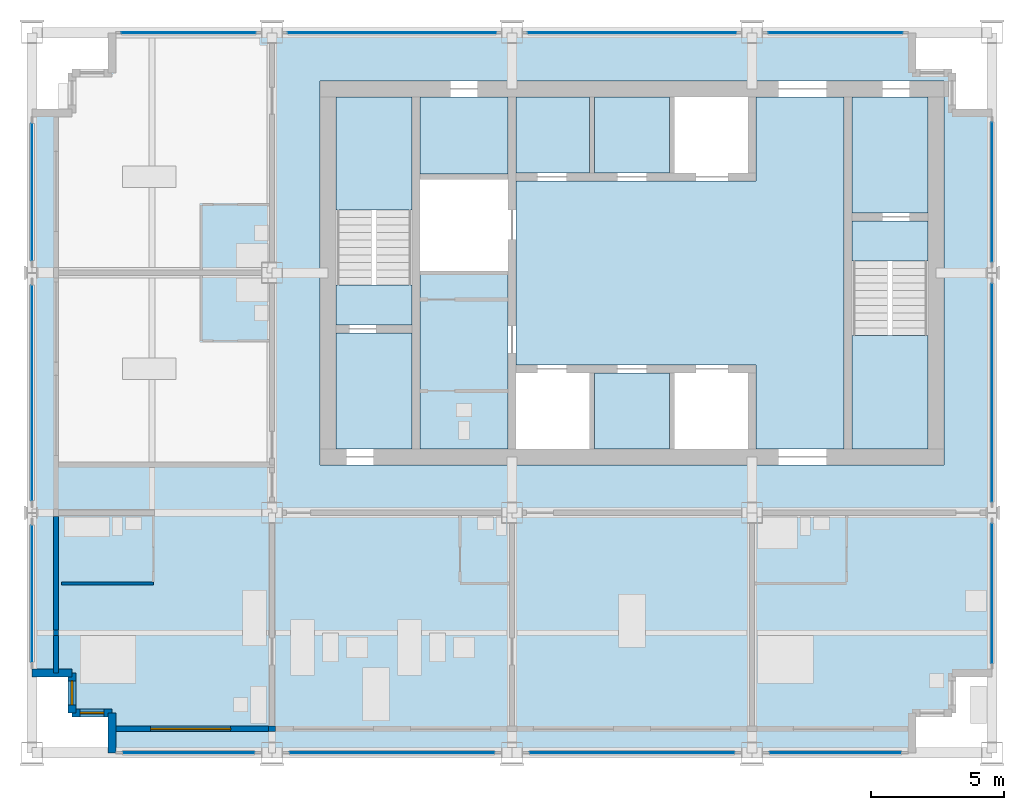
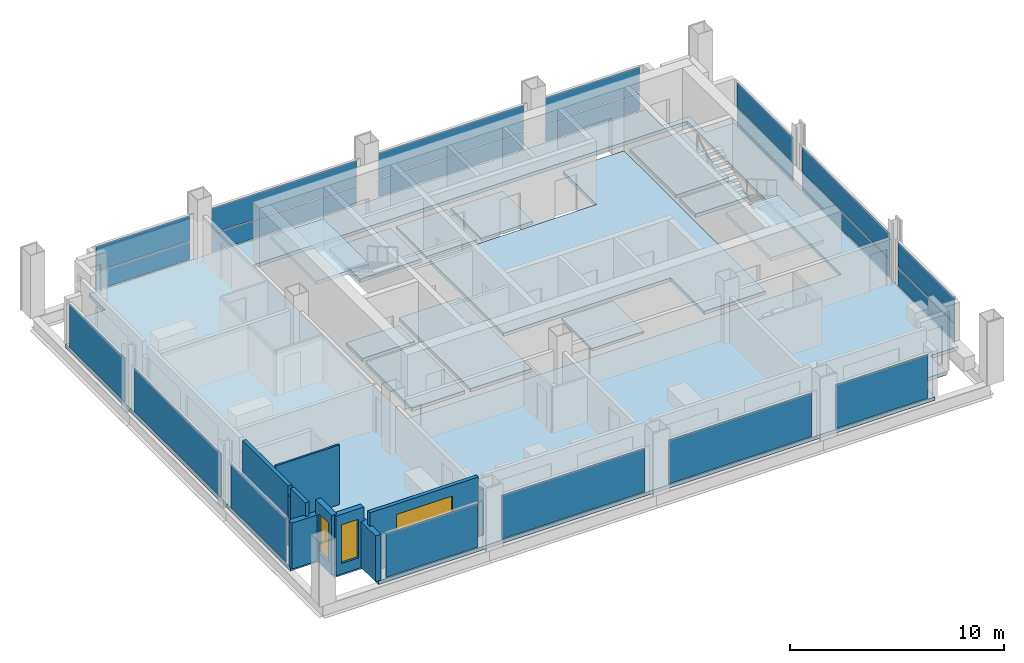
# One storey, part 5 of 11: 21 plates, 13 slabs, 10 walls, 3 windows, 3 openings, 16 elements without a shape of their own.
"""IFC4 building model written with IfcOpenShell, lengths in metres."""

from ifc_helpers import new_model, si_unit, direction, frame, frame_2d, origin, origin_2d, place, context, subcontext, project, spatial, polyline, rectangle, outline, extrude, material, layer, layer_set, type_object, element, fill, aggregate, save


model = new_model("IFC4")

# Units and contexts
model_context = context("Model", 3, precision=1e-05, world=origin(), true_north=direction((0.0, 1.0)))
body_context = subcontext(model_context, "Body", "Model", "MODEL_VIEW")
ifc_project = project(units=[si_unit("LENGTHUNIT", "METRE"), si_unit("AREAUNIT", "SQUARE_METRE"), si_unit("VOLUMEUNIT", "CUBIC_METRE"), si_unit("PLANEANGLEUNIT", "RADIAN"), si_unit("MASSUNIT", "GRAM", prefix="KILO")], contexts=[model_context])

# Site, building, storey
site_placement = place(None, origin())
site = spatial("IfcSite", under=ifc_project, at=site_placement, CompositionType="ELEMENT")
building_placement = place(site_placement, origin())
building = spatial("IfcBuilding", under=site, at=building_placement, Name="Loomwork Tower", CompositionType="ELEMENT")
storey_placement = place(building_placement, frame((0.0, 0.0, 262.60009765625)))
storey = spatial("IfcBuildingStorey", under=building, at=storey_placement, Name="L72", CompositionType="ELEMENT", Elevation=262.60009765625)

# Slabs
ifc_material_1 = material(Name="Concrete 5000 psi (34 MPa) on composite metal deck", Category="concrete")
ifc_layer_1 = layer(ifc_material_1, 0.199951171875)
ifc_layer_set_1 = layer_set([ifc_layer_1], Name="Floor slab 200")
slab_type_1 = type_object("IfcSlabType", Name="Floor slab 200", PredefinedType="FLOOR", material=ifc_layer_set_1)
slab_1_placement = place(storey_placement, frame((0.0, 0.0, -0.2001953125)))
element("IfcSlab", 1, at=slab_1_placement, inside=storey, type_object=slab_type_1, Name="Floor slab L72", PredefinedType="FLOOR", context=body_context, shape_type="SweptSolid", body=[
    extrude(outline(polyline([(3.0, 1.5), (1.5, 1.5), (1.5, 3.0), (0.0, 3.0), (0.0, 24.0), (1.5, 24.0), (1.5, 25.5), (3.0, 25.5), (3.0, 27.0), (33.0, 27.0), (33.0, 25.5), (34.5, 25.5), (34.5, 24.0), (36.0, 24.0), (36.0, 3.0), (34.5, 3.0), (34.5, 1.5), (33.0, 1.5), (33.0, 0.0), (3.0, 0.0), (3.0, 1.5)]), holes=[polyline([(10.800048828125, 11.39990234375), (10.800048828125, 11.39990234375), (10.800048828125, 10.800048828125), (34.199951171875, 10.800048828125), (34.199951171875, 11.39990234375), (34.199951171875, 11.39990234375), (34.199951171875, 24.60009765625), (34.199951171875, 25.199951171875), (10.800048828125, 25.199951171875), (10.800048828125, 24.60009765625), (10.800048828125, 11.39990234375)])]), origin(), (0.0, 0.0, 1.0), 0.2001953125),
])
slab_2_placement = place(storey_placement, frame((0.0, 0.0, -0.2001953125)))
element("IfcSlab", 2, at=slab_2_placement, inside=storey, type_object=slab_type_1, Name="Floor slab L72", PredefinedType="FLOOR", context=body_context, shape_type="SweptSolid", body=[
    extrude(outline(polyline([(30.449951171875, 24.60009765625), (30.449951171875, 11.39990234375), (27.14990234375, 11.39990234375), (27.14990234375, 14.25), (27.14990234375, 14.550048828125), (18.14990234375, 14.550048828125), (18.14990234375, 21.449951171875), (27.14990234375, 21.449951171875), (27.14990234375, 21.75), (27.14990234375, 24.60009765625), (30.449951171875, 24.60009765625)])), origin(), (0.0, 0.0, 1.0), 0.2001953125),
])
slab_3_placement = place(storey_placement, frame((0.0, 0.0, -0.2001953125)))
element("IfcSlab", 3, at=slab_3_placement, inside=storey, type_object=slab_type_1, Name="Floor slab L72", PredefinedType="FLOOR", context=body_context, shape_type="SweptSolid", body=[
    extrude(outline(polyline([(14.550048828125, 11.39990234375), (14.550048828125, 18.074951171875), (17.85009765625, 18.074951171875), (17.85009765625, 11.39990234375), (14.550048828125, 11.39990234375)])), origin(), (0.0, 0.0, 1.0), 0.2001953125),
])
slab_4_placement = place(storey_placement, frame((0.0, 0.0, -0.2001953125)))
element("IfcSlab", 4, at=slab_4_placement, inside=storey, type_object=slab_type_1, Name="Floor slab L72", PredefinedType="FLOOR", context=body_context, shape_type="SweptSolid", body=[
    extrude(outline(polyline([(33.60009765625, 20.25), (30.75, 20.25), (30.75, 24.60009765625), (33.60009765625, 24.60009765625), (33.60009765625, 20.25)])), origin(), (0.0, 0.0, 1.0), 0.2001953125),
])
slab_5_placement = place(storey_placement, frame((0.0, 0.0, -0.2001953125)))
element("IfcSlab", 5, at=slab_5_placement, inside=storey, type_object=slab_type_1, Name="Floor slab L72", PredefinedType="FLOOR", context=body_context, shape_type="SweptSolid", body=[
    extrude(outline(polyline([(14.25, 15.75), (14.25, 11.39990234375), (11.39990234375, 11.39990234375), (11.39990234375, 15.75), (14.25, 15.75)])), origin(), (0.0, 0.0, 1.0), 0.2001953125),
])
slab_6_placement = place(storey_placement, frame((0.0, 0.0, -0.2001953125)))
element("IfcSlab", 6, at=slab_6_placement, inside=storey, type_object=slab_type_1, Name="Floor slab L72", PredefinedType="FLOOR", context=body_context, shape_type="SweptSolid", body=[
    extrude(outline(polyline([(14.550048828125, 21.699951171875), (14.550048828125, 24.60009765625), (17.85009765625, 24.60009765625), (17.85009765625, 21.699951171875), (14.550048828125, 21.699951171875)])), origin(), (0.0, 0.0, 1.0), 0.2001953125),
])

# Curtain wall, plate
ifc_material_2 = material(Name="Aluminium curtain wall frame", Category="aluminium")
curtain_wall_type_1 = type_object("IfcCurtainWallType", Name="Outer skin glazing suites", PredefinedType="NOTDEFINED", material=ifc_material_2)
curtain_wall_1_placement = place(storey_placement, origin())
curtain_wall_1 = element("IfcCurtainWall", 7, at=curtain_wall_1_placement, inside=storey, type_object=curtain_wall_type_1, Name="Outer skin glazing suites cw/S-0", PredefinedType="NOTDEFINED")
ifc_material_3 = material(Name="Clear laminated glass", Category="glass")
ifc_layer_2 = layer(ifc_material_3, 0.02392578125)
ifc_layer_set_2 = layer_set([ifc_layer_2], Name="Outer skin glazing suites panel")
plate_type_1 = type_object("IfcPlateType", Name="Outer skin glazing suites panel", PredefinedType="CURTAIN_PANEL", material=ifc_layer_set_2)
plate_1_placement = place(storey_placement, frame((5.875, 0.0, 0.06494140625), z_axis=(0.0, 0.0, 1.0), x_axis=(1.0, 0.0, 0.0)))
plate_1 = element("IfcPlate", 8, at=plate_1_placement, type_object=plate_type_1, Name="CW2 panel 1.1", PredefinedType="CURTAIN_PANEL", context=body_context, shape_type="SweptSolid", body=[
    extrude(rectangle(XDim=4.949951171875, YDim=0.02392578125, at=origin_2d()), origin(), (0.0, 0.0, 1.0), 2.490234375),
])
aggregate(curtain_wall_1, [plate_1])

curtain_wall_2_placement = place(storey_placement, origin())
curtain_wall_2 = element("IfcCurtainWall", 9, at=curtain_wall_2_placement, inside=storey, type_object=curtain_wall_type_1, Name="Outer skin glazing suites cw/S-9", PredefinedType="NOTDEFINED")
plate_2_placement = place(storey_placement, frame((13.5, 0.0, 0.06494140625), z_axis=(0.0, 0.0, 1.0), x_axis=(1.0, 0.0, 0.0)))
plate_2 = element("IfcPlate", 10, at=plate_2_placement, type_object=plate_type_1, Name="CW2 panel 1.1", PredefinedType="CURTAIN_PANEL", context=body_context, shape_type="SweptSolid", body=[
    extrude(rectangle(XDim=7.699951171875, YDim=0.02392578125, at=origin_2d()), origin(), (0.0, 0.0, 1.0), 2.490234375),
])
aggregate(curtain_wall_2, [plate_2])

curtain_wall_3_placement = place(storey_placement, origin())
curtain_wall_3 = element("IfcCurtainWall", 11, at=curtain_wall_3_placement, inside=storey, type_object=curtain_wall_type_1, Name="Outer skin glazing suites cw/S-18", PredefinedType="NOTDEFINED")
plate_3_placement = place(storey_placement, frame((22.5, 0.0, 0.06494140625), z_axis=(0.0, 0.0, 1.0), x_axis=(1.0, 0.0, 0.0)))
plate_3 = element("IfcPlate", 12, at=plate_3_placement, type_object=plate_type_1, Name="CW2 panel 1.1", PredefinedType="CURTAIN_PANEL", context=body_context, shape_type="SweptSolid", body=[
    extrude(rectangle(XDim=7.699951171875, YDim=0.02392578125, at=origin_2d()), origin(), (0.0, 0.0, 1.0), 2.490234375),
])
aggregate(curtain_wall_3, [plate_3])

curtain_wall_4_placement = place(storey_placement, origin())
curtain_wall_4 = element("IfcCurtainWall", 13, at=curtain_wall_4_placement, inside=storey, type_object=curtain_wall_type_1, Name="Outer skin glazing suites cw/S-27", PredefinedType="NOTDEFINED")
plate_4_placement = place(storey_placement, frame((30.125, 0.0, 0.06494140625), z_axis=(0.0, 0.0, 1.0), x_axis=(1.0, 0.0, 0.0)))
plate_4 = element("IfcPlate", 14, at=plate_4_placement, type_object=plate_type_1, Name="CW2 panel 1.1", PredefinedType="CURTAIN_PANEL", context=body_context, shape_type="SweptSolid", body=[
    extrude(rectangle(XDim=4.949951171875, YDim=0.02392578125, at=origin_2d()), origin(), (0.0, 0.0, 1.0), 2.490234375),
])
aggregate(curtain_wall_4, [plate_4])

curtain_wall_5_placement = place(storey_placement, origin())
curtain_wall_5 = element("IfcCurtainWall", 15, at=curtain_wall_5_placement, inside=storey, type_object=curtain_wall_type_1, Name="Outer skin glazing suites cw/W-0", PredefinedType="NOTDEFINED")
plate_5_placement = place(storey_placement, frame((0.0, 5.970947265625, 0.06494140625), z_axis=(0.0, 0.0, 1.0), x_axis=(0.0, -1.0, 0.0)))
plate_5 = element("IfcPlate", 16, at=plate_5_placement, type_object=plate_type_1, Name="CW2 panel 1.1", PredefinedType="CURTAIN_PANEL", context=body_context, shape_type="SweptSolid", body=[
    extrude(rectangle(XDim=5.1416015625, YDim=0.02392578125, at=origin_2d()), origin(), (0.0, 0.0, 1.0), 2.490234375),
])
aggregate(curtain_wall_5, [plate_5])

curtain_wall_6_placement = place(storey_placement, origin())
curtain_wall_6 = element("IfcCurtainWall", 17, at=curtain_wall_6_placement, inside=storey, type_object=curtain_wall_type_1, Name="Outer skin glazing suites cw/W-9", PredefinedType="NOTDEFINED")
plate_6_placement = place(storey_placement, frame((0.0, 13.5, 0.06494140625), z_axis=(0.0, 0.0, 1.0), x_axis=(0.0, -1.0, 0.0)))
plate_6 = element("IfcPlate", 18, at=plate_6_placement, type_object=plate_type_1, Name="CW2 panel 1.1", PredefinedType="CURTAIN_PANEL", context=body_context, shape_type="SweptSolid", body=[
    extrude(rectangle(XDim=8.08349609375, YDim=0.02392578125, at=origin_2d()), origin(), (0.0, 0.0, 1.0), 2.490234375),
])
aggregate(curtain_wall_6, [plate_6])

curtain_wall_7_placement = place(storey_placement, origin())
curtain_wall_7 = element("IfcCurtainWall", 19, at=curtain_wall_7_placement, inside=storey, type_object=curtain_wall_type_1, Name="Outer skin glazing suites cw/W-18", PredefinedType="NOTDEFINED")
plate_7_placement = place(storey_placement, frame((0.0, 21.029052734375, 0.06494140625), z_axis=(0.0, 0.0, 1.0), x_axis=(0.0, -1.0, 0.0)))
plate_7 = element("IfcPlate", 20, at=plate_7_placement, type_object=plate_type_1, Name="CW2 panel 1.1", PredefinedType="CURTAIN_PANEL", context=body_context, shape_type="SweptSolid", body=[
    extrude(rectangle(XDim=5.1416015625, YDim=0.02392578125, at=origin_2d()), origin(), (0.0, 0.0, 1.0), 2.490234375),
])
aggregate(curtain_wall_7, [plate_7])

# Slabs
ifc_material_4 = material(Name="Concrete 5000 psi (34 MPa) on composite metal deck", Category="concrete")
ifc_layer_3 = layer(ifc_material_4, 0.14990234375)
ifc_layer_set_3 = layer_set([ifc_layer_3], Name="Shaft infill floor 150")
slab_type_2 = type_object("IfcSlabType", Name="Shaft infill floor 150", PredefinedType="FLOOR", material=ifc_layer_set_3)
slab_7_placement = place(storey_placement, frame((0.0, 0.0, -0.150146484375)))
element("IfcSlab", 21, at=slab_7_placement, inside=storey, type_object=slab_type_2, Name="Shaft infill floor LS1 L72", PredefinedType="FLOOR", context=body_context, shape_type="SweptSolid", body=[
    extrude(outline(polyline([(18.14990234375, 21.75), (20.89990234375, 21.75), (20.89990234375, 24.60009765625), (18.14990234375, 24.60009765625), (18.14990234375, 21.75)])), origin(), (0.0, 0.0, 1.0), 0.150146484375),
])
slab_8_placement = place(storey_placement, frame((0.0, 0.0, -0.150146484375)))
element("IfcSlab", 22, at=slab_8_placement, inside=storey, type_object=slab_type_2, Name="Shaft infill floor LS2 L72", PredefinedType="FLOOR", context=body_context, shape_type="SweptSolid", body=[
    extrude(outline(polyline([(21.10009765625, 21.75), (23.89990234375, 21.75), (23.89990234375, 24.60009765625), (21.10009765625, 24.60009765625), (21.10009765625, 21.75)])), origin(), (0.0, 0.0, 1.0), 0.150146484375),
])
slab_9_placement = place(storey_placement, frame((0.0, 0.0, -0.150146484375)))
element("IfcSlab", 23, at=slab_9_placement, inside=storey, type_object=slab_type_2, Name="Shaft infill floor S2 L72", PredefinedType="FLOOR", context=body_context, shape_type="SweptSolid", body=[
    extrude(outline(polyline([(21.10009765625, 11.39990234375), (23.89990234375, 11.39990234375), (23.89990234375, 14.25), (21.10009765625, 14.25), (21.10009765625, 11.39990234375)])), origin(), (0.0, 0.0, 1.0), 0.150146484375),
])

# Curtain wall, plates
ifc_material_5 = material(Name="Aluminium curtain wall frame", Category="aluminium")
curtain_wall_type_2 = type_object("IfcCurtainWallType", Name="Single skin glazing corridor", PredefinedType="NOTDEFINED", material=ifc_material_5)
curtain_wall_8_placement = place(storey_placement, origin())
curtain_wall_8 = element("IfcCurtainWall", 24, at=curtain_wall_8_placement, inside=storey, type_object=curtain_wall_type_2, Name="Single skin glazing corridor cw/N-0", PredefinedType="NOTDEFINED")
ifc_material_6 = material(Name="Clear insulated glass", Category="glass")
ifc_layer_4 = layer(ifc_material_6, 0.031982421875)
ifc_layer_set_4 = layer_set([ifc_layer_4], Name="Single skin glazing corridor panel")
plate_type_2 = type_object("IfcPlateType", Name="Single skin glazing corridor panel", PredefinedType="CURTAIN_PANEL", material=ifc_layer_set_4)
plate_8_placement = place(storey_placement, frame((5.875, 27.0, 0.06494140625), z_axis=(0.0, 0.0, 1.0), x_axis=(-1.0, 0.0, 0.0)))
plate_8 = element("IfcPlate", 25, at=plate_8_placement, type_object=plate_type_2, Name="CW3 panel 1.1", PredefinedType="CURTAIN_PANEL", context=body_context, shape_type="SweptSolid", body=[
    extrude(rectangle(XDim=5.050048828125, YDim=0.031982421875, at=origin_2d()), origin(), (0.0, 0.0, 1.0), 1.00244140625),
])
plate_9_placement = place(storey_placement, frame((5.875, 27.0, 1.13232421875), z_axis=(0.0, 0.0, 1.0), x_axis=(-1.0, 0.0, 0.0)))
plate_9 = element("IfcPlate", 26, at=plate_9_placement, type_object=plate_type_2, Name="CW3 panel 1.2", PredefinedType="CURTAIN_PANEL", context=body_context, shape_type="SweptSolid", body=[
    extrude(rectangle(XDim=5.050048828125, YDim=0.031982421875, at=origin_2d()), origin(), (0.0, 0.0, 1.0), 1.422607421875),
])
aggregate(curtain_wall_8, [plate_8, plate_9])

curtain_wall_9_placement = place(storey_placement, origin())
curtain_wall_9 = element("IfcCurtainWall", 27, at=curtain_wall_9_placement, inside=storey, type_object=curtain_wall_type_2, Name="Single skin glazing corridor cw/N-9", PredefinedType="NOTDEFINED")
plate_10_placement = place(storey_placement, frame((13.5, 27.0, 0.06494140625), z_axis=(0.0, 0.0, 1.0), x_axis=(-1.0, 0.0, 0.0)))
plate_10 = element("IfcPlate", 28, at=plate_10_placement, type_object=plate_type_2, Name="CW3 panel 1.1", PredefinedType="CURTAIN_PANEL", context=body_context, shape_type="SweptSolid", body=[
    extrude(rectangle(XDim=7.800048828125, YDim=0.031982421875, at=origin_2d()), origin(), (0.0, 0.0, 1.0), 1.00244140625),
])
plate_11_placement = place(storey_placement, frame((13.5, 27.0, 1.13232421875), z_axis=(0.0, 0.0, 1.0), x_axis=(-1.0, 0.0, 0.0)))
plate_11 = element("IfcPlate", 29, at=plate_11_placement, type_object=plate_type_2, Name="CW3 panel 1.2", PredefinedType="CURTAIN_PANEL", context=body_context, shape_type="SweptSolid", body=[
    extrude(rectangle(XDim=7.800048828125, YDim=0.031982421875, at=origin_2d()), origin(), (0.0, 0.0, 1.0), 1.422607421875),
])
aggregate(curtain_wall_9, [plate_10, plate_11])

curtain_wall_10_placement = place(storey_placement, origin())
curtain_wall_10 = element("IfcCurtainWall", 30, at=curtain_wall_10_placement, inside=storey, type_object=curtain_wall_type_2, Name="Single skin glazing corridor cw/N-18", PredefinedType="NOTDEFINED")
plate_12_placement = place(storey_placement, frame((22.5, 27.0, 0.06494140625), z_axis=(0.0, 0.0, 1.0), x_axis=(-1.0, 0.0, 0.0)))
plate_12 = element("IfcPlate", 31, at=plate_12_placement, type_object=plate_type_2, Name="CW3 panel 1.1", PredefinedType="CURTAIN_PANEL", context=body_context, shape_type="SweptSolid", body=[
    extrude(rectangle(XDim=7.800048828125, YDim=0.031982421875, at=origin_2d()), origin(), (0.0, 0.0, 1.0), 1.00244140625),
])
plate_13_placement = place(storey_placement, frame((22.5, 27.0, 1.13232421875), z_axis=(0.0, 0.0, 1.0), x_axis=(-1.0, 0.0, 0.0)))
plate_13 = element("IfcPlate", 32, at=plate_13_placement, type_object=plate_type_2, Name="CW3 panel 1.2", PredefinedType="CURTAIN_PANEL", context=body_context, shape_type="SweptSolid", body=[
    extrude(rectangle(XDim=7.800048828125, YDim=0.031982421875, at=origin_2d()), origin(), (0.0, 0.0, 1.0), 1.422607421875),
])
aggregate(curtain_wall_10, [plate_12, plate_13])

curtain_wall_11_placement = place(storey_placement, origin())
curtain_wall_11 = element("IfcCurtainWall", 33, at=curtain_wall_11_placement, inside=storey, type_object=curtain_wall_type_2, Name="Single skin glazing corridor cw/N-27", PredefinedType="NOTDEFINED")
plate_14_placement = place(storey_placement, frame((30.125, 27.0, 0.06494140625), z_axis=(0.0, 0.0, 1.0), x_axis=(-1.0, 0.0, 0.0)))
plate_14 = element("IfcPlate", 34, at=plate_14_placement, type_object=plate_type_2, Name="CW3 panel 1.1", PredefinedType="CURTAIN_PANEL", context=body_context, shape_type="SweptSolid", body=[
    extrude(rectangle(XDim=5.050048828125, YDim=0.031982421875, at=origin_2d()), origin(), (0.0, 0.0, 1.0), 1.00244140625),
])
plate_15_placement = place(storey_placement, frame((30.125, 27.0, 1.13232421875), z_axis=(0.0, 0.0, 1.0), x_axis=(-1.0, 0.0, 0.0)))
plate_15 = element("IfcPlate", 35, at=plate_15_placement, type_object=plate_type_2, Name="CW3 panel 1.2", PredefinedType="CURTAIN_PANEL", context=body_context, shape_type="SweptSolid", body=[
    extrude(rectangle(XDim=5.050048828125, YDim=0.031982421875, at=origin_2d()), origin(), (0.0, 0.0, 1.0), 1.422607421875),
])
aggregate(curtain_wall_11, [plate_14, plate_15])

curtain_wall_12_placement = place(storey_placement, origin())
curtain_wall_12 = element("IfcCurtainWall", 36, at=curtain_wall_12_placement, inside=storey, type_object=curtain_wall_type_2, Name="Single skin glazing corridor cw/E-0", PredefinedType="NOTDEFINED")
plate_16_placement = place(storey_placement, frame((36.0, 5.970947265625, 0.06494140625), z_axis=(0.0, 0.0, 1.0), x_axis=(0.0, 1.0, 0.0)))
plate_16 = element("IfcPlate", 37, at=plate_16_placement, type_object=plate_type_2, Name="CW3 panel 1.1", PredefinedType="CURTAIN_PANEL", context=body_context, shape_type="SweptSolid", body=[
    extrude(rectangle(XDim=5.24169921875, YDim=0.031982421875, at=origin_2d()), origin(), (0.0, 0.0, 1.0), 1.00244140625),
])
plate_17_placement = place(storey_placement, frame((36.0, 5.970947265625, 1.13232421875), z_axis=(0.0, 0.0, 1.0), x_axis=(0.0, 1.0, 0.0)))
plate_17 = element("IfcPlate", 38, at=plate_17_placement, type_object=plate_type_2, Name="CW3 panel 1.2", PredefinedType="CURTAIN_PANEL", context=body_context, shape_type="SweptSolid", body=[
    extrude(rectangle(XDim=5.24169921875, YDim=0.031982421875, at=origin_2d()), origin(), (0.0, 0.0, 1.0), 1.422607421875),
])
aggregate(curtain_wall_12, [plate_16, plate_17])

curtain_wall_13_placement = place(storey_placement, origin())
curtain_wall_13 = element("IfcCurtainWall", 39, at=curtain_wall_13_placement, inside=storey, type_object=curtain_wall_type_2, Name="Single skin glazing corridor cw/E-9", PredefinedType="NOTDEFINED")
plate_18_placement = place(storey_placement, frame((36.0, 13.5, 0.06494140625), z_axis=(0.0, 0.0, 1.0), x_axis=(0.0, 1.0, 0.0)))
plate_18 = element("IfcPlate", 40, at=plate_18_placement, type_object=plate_type_2, Name="CW3 panel 1.1", PredefinedType="CURTAIN_PANEL", context=body_context, shape_type="SweptSolid", body=[
    extrude(rectangle(XDim=8.183349609375, YDim=0.031982421875, at=origin_2d()), origin(), (0.0, 0.0, 1.0), 1.00244140625),
])
plate_19_placement = place(storey_placement, frame((36.0, 13.5, 1.13232421875), z_axis=(0.0, 0.0, 1.0), x_axis=(0.0, 1.0, 0.0)))
plate_19 = element("IfcPlate", 41, at=plate_19_placement, type_object=plate_type_2, Name="CW3 panel 1.2", PredefinedType="CURTAIN_PANEL", context=body_context, shape_type="SweptSolid", body=[
    extrude(rectangle(XDim=8.183349609375, YDim=0.031982421875, at=origin_2d()), origin(), (0.0, 0.0, 1.0), 1.422607421875),
])
aggregate(curtain_wall_13, [plate_18, plate_19])

curtain_wall_14_placement = place(storey_placement, origin())
curtain_wall_14 = element("IfcCurtainWall", 42, at=curtain_wall_14_placement, inside=storey, type_object=curtain_wall_type_2, Name="Single skin glazing corridor cw/E-18", PredefinedType="NOTDEFINED")
plate_20_placement = place(storey_placement, frame((36.0, 21.029052734375, 0.06494140625), z_axis=(0.0, 0.0, 1.0), x_axis=(0.0, 1.0, 0.0)))
plate_20 = element("IfcPlate", 43, at=plate_20_placement, type_object=plate_type_2, Name="CW3 panel 1.1", PredefinedType="CURTAIN_PANEL", context=body_context, shape_type="SweptSolid", body=[
    extrude(rectangle(XDim=5.24169921875, YDim=0.031982421875, at=origin_2d()), origin(), (0.0, 0.0, 1.0), 1.00244140625),
])
plate_21_placement = place(storey_placement, frame((36.0, 21.029052734375, 1.13232421875), z_axis=(0.0, 0.0, 1.0), x_axis=(0.0, 1.0, 0.0)))
plate_21 = element("IfcPlate", 44, at=plate_21_placement, type_object=plate_type_2, Name="CW3 panel 1.2", PredefinedType="CURTAIN_PANEL", context=body_context, shape_type="SweptSolid", body=[
    extrude(rectangle(XDim=5.24169921875, YDim=0.031982421875, at=origin_2d()), origin(), (0.0, 0.0, 1.0), 1.422607421875),
])
aggregate(curtain_wall_14, [plate_20, plate_21])

# Stair, slabs
ifc_material_7 = material(Name="Concrete 5000 psi (34 MPa) precast stair", Category="concrete")
stair_type_1 = type_object("IfcStairType", Name="Stair ST-A 22 risers 2850 wide", PredefinedType="HALF_TURN_STAIR", material=ifc_material_7)
stair_1_placement = place(storey_placement, origin())
stair_1 = element("IfcStair", 45, at=stair_1_placement, inside=storey, type_object=stair_type_1, Name="Stair A L72", PredefinedType="HALF_TURN_STAIR")
ifc_material_8 = material(Name="Concrete 5000 psi (34 MPa)", Category="concrete")
ifc_layer_5 = layer(ifc_material_8, 0.199951171875)
ifc_layer_set_5 = layer_set([ifc_layer_5], Name="Stair landing 200")
slab_type_3 = type_object("IfcSlabType", Name="Stair landing 200", PredefinedType="LANDING", material=ifc_layer_set_5)
slab_10_placement = place(storey_placement, frame((0.0, 0.0, -0.2001953125)))
slab_10 = element("IfcSlab", 46, at=slab_10_placement, type_object=slab_type_3, Name="ST-A landing 1", PredefinedType="LANDING", context=body_context, shape_type="SweptSolid", body=[
    extrude(outline(polyline([(11.39990234375, 16.050048828125), (14.25, 16.050048828125), (14.25, 17.550048828125), (11.39990234375, 17.550048828125), (11.39990234375, 16.050048828125)])), origin(), (0.0, 0.0, 1.0), 0.2001953125),
])
slab_11_placement = place(storey_placement, frame((0.0, 0.0, 1.599853515625)))
slab_11 = element("IfcSlab", 47, at=slab_11_placement, type_object=slab_type_3, Name="ST-A landing 2", PredefinedType="LANDING", context=body_context, shape_type="SweptSolid", body=[
    extrude(outline(polyline([(11.39990234375, 20.35009765625), (14.25, 20.35009765625), (14.25, 24.60009765625), (11.39990234375, 24.60009765625), (11.39990234375, 20.35009765625)])), origin(), (0.0, 0.0, 1.0), 0.199951171875),
])
aggregate(stair_1, [slab_10, slab_11])

ifc_material_9 = material(Name="Concrete 5000 psi (34 MPa) precast stair", Category="concrete")
stair_type_2 = type_object("IfcStairType", Name="Stair ST-B 22 risers 2850 wide", PredefinedType="HALF_TURN_STAIR", material=ifc_material_9)
stair_2_placement = place(storey_placement, origin())
stair_2 = element("IfcStair", 48, at=stair_2_placement, inside=storey, type_object=stair_type_2, Name="Stair B L72", PredefinedType="HALF_TURN_STAIR")
slab_12_placement = place(storey_placement, frame((0.0, 0.0, -0.2001953125)))
slab_12 = element("IfcSlab", 49, at=slab_12_placement, type_object=slab_type_3, Name="ST-B landing 1", PredefinedType="LANDING", context=body_context, shape_type="SweptSolid", body=[
    extrude(outline(polyline([(30.75, 18.449951171875), (33.60009765625, 18.449951171875), (33.60009765625, 19.949951171875), (30.75, 19.949951171875), (30.75, 18.449951171875)])), origin(), (0.0, 0.0, 1.0), 0.2001953125),
])
slab_13_placement = place(storey_placement, frame((0.0, 0.0, 1.599853515625)))
slab_13 = element("IfcSlab", 50, at=slab_13_placement, type_object=slab_type_3, Name="ST-B landing 2", PredefinedType="LANDING", context=body_context, shape_type="SweptSolid", body=[
    extrude(outline(polyline([(30.75, 11.39990234375), (33.60009765625, 11.39990234375), (33.60009765625, 15.64990234375), (30.75, 15.64990234375), (30.75, 11.39990234375)])), origin(), (0.0, 0.0, 1.0), 0.199951171875),
])
aggregate(stair_2, [slab_12, slab_13])

# Wall
ifc_material_10 = material(Name="Cement board on steel studs", Category="steel")
ifc_layer_6 = layer(ifc_material_10, 0.10009765625)
ifc_layer_set_6 = layer_set([ifc_layer_6], Name="En-suite partition 100")
wall_type_1 = type_object("IfcWallType", Name="En-suite partition 100", PredefinedType="PARTITIONING", material=ifc_layer_set_6)
wall_1_placement = place(storey_placement, frame((1.10009765625, 6.35009765625, 0.0), z_axis=(0.0, 0.0, 1.0), x_axis=(1.0, 0.0, 0.0)))
element("IfcWall", 51, at=wall_1_placement, inside=storey, type_object=wall_type_1, Name="En-suite wall L72 room 1", PredefinedType="PARTITIONING", context=body_context, shape_type="SweptSolid", body=[
    extrude(rectangle(XDim=3.449951171875, YDim=0.10009765625, at=frame_2d((1.72509765625, 0.0))), origin(), (0.0, 0.0, 1.0), 3.39990234375),
])

# Wall, opening, window
ifc_material_11 = material(Name="Insulated steel stud wall with gypsum lining", Category="steel")
ifc_layer_7 = layer(ifc_material_11, 0.199951171875)
ifc_layer_set_7 = layer_set([ifc_layer_7], Name="Inner skin wall 200")
wall_type_2 = type_object("IfcWallType", Name="Inner skin wall 200", PredefinedType="SOLIDWALL", material=ifc_layer_set_7)
wall_2_placement = place(storey_placement, frame((3.0, 0.89990234375, 0.0), z_axis=(0.0, 0.0, 1.0), x_axis=(1.0, 0.0, 0.0)))
wall_2 = element("IfcWall", 52, at=wall_2_placement, inside=storey, type_object=wall_type_2, Name="Inner skin wall S", PredefinedType="SOLIDWALL", context=body_context, shape_type="SweptSolid", body=[
    extrude(rectangle(XDim=5.86474609375, YDim=0.199951171875, at=frame_2d((2.932373046875, 0.0))), origin(), (0.0, 0.0, 1.0), 3.39990234375),
])
opening_1_placement = place(wall_2_placement, frame((1.449951171875, 0.0, 0.60009765625)))
opening_1 = element("IfcOpeningElement", 53, at=opening_1_placement, cuts=wall_2, Name="Opening CH1", PredefinedType="OPENING", context=body_context, shape_type="SweptSolid", body=[
    extrude(rectangle(XDim=3.0, YDim=2.199951171875, at=frame_2d((1.5, 1.10009765625))), frame((0.0, 0.10986328125, 0.0), z_axis=(0.0, -1.0, 0.0), x_axis=(1.0, 0.0, 0.0)), (0.0, 0.0, 1.0), 0.219970703125),
])
ifc_material_12 = material(Name="Aluminium frame with clear insulated glass", Category="aluminium")
window_type_1 = type_object("IfcWindowType", Name="Chicago window 3000", PartitioningType="TRIPLE_PANEL_VERTICAL", PredefinedType="WINDOW", material=ifc_material_12)
window_1_placement = place(opening_1_placement, origin())
window_1 = element("IfcWindow", 54, at=window_1_placement, inside=storey, type_object=window_type_1, Name="Chicago window L72 bay 1", OverallHeight=2.199951171875, OverallWidth=3.0, PartitioningType="TRIPLE_PANEL_VERTICAL", PredefinedType="WINDOW", context=body_context, shape_type="SweptSolid", body=[
    extrude(rectangle(XDim=3.0, YDim=2.199951171875, at=frame_2d((1.5, 1.10009765625))), frame((0.0, 0.030029296875, 0.0), z_axis=(0.0, -1.0, 0.0), x_axis=(1.0, 0.0, 0.0)), (0.0, 0.0, 1.0), 0.06005859375),
])
fill(opening_1, window_1)

# Walls
wall_3_placement = place(storey_placement, frame((0.89990234375, 3.0, 0.0), z_axis=(0.0, 0.0, 1.0), x_axis=(0.0, 1.0, 0.0)))
element("IfcWall", 55, at=wall_3_placement, inside=storey, type_object=wall_type_2, Name="Inner skin wall W", PredefinedType="SOLIDWALL", context=body_context, shape_type="SweptSolid", body=[
    extrude(rectangle(XDim=1.392578125, YDim=0.199951171875, at=frame_2d((0.6962890625, 0.0))), origin(), (0.0, 0.0, 1.0), 3.39990234375),
])
wall_4_placement = place(storey_placement, frame((8.86474609375, 0.89990234375, 0.0), z_axis=(0.0, 0.0, 1.0), x_axis=(1.0, 0.0, 0.0)))
element("IfcWall", 56, at=wall_4_placement, inside=storey, type_object=wall_type_2, Name="Inner skin wall S bay 2", PredefinedType="SOLIDWALL", context=body_context, shape_type="SweptSolid", body=[
    extrude(rectangle(XDim=0.2705078125, YDim=0.199951171875, at=frame_2d((0.13525390625, 0.0))), origin(), (0.0, 0.0, 1.0), 2.637939453125),
])
wall_5_placement = place(storey_placement, frame((0.89990234375, 4.392578125, 0.0), z_axis=(0.0, 0.0, 1.0), x_axis=(0.0, 1.0, 0.0)))
element("IfcWall", 57, at=wall_5_placement, inside=storey, type_object=wall_type_2, Name="Inner skin wall W bay 2", PredefinedType="SOLIDWALL", context=body_context, shape_type="SweptSolid", body=[
    extrude(rectangle(XDim=0.21484375, YDim=0.199951171875, at=frame_2d((0.107421875, 0.0))), origin(), (0.0, 0.0, 1.0), 2.86083984375),
])
wall_6_placement = place(storey_placement, frame((0.89990234375, 4.607421875, 0.0), z_axis=(0.0, 0.0, 1.0), x_axis=(0.0, 1.0, 0.0)))
element("IfcWall", 58, at=wall_6_placement, inside=storey, type_object=wall_type_2, Name="Inner skin wall W bay 3", PredefinedType="SOLIDWALL", context=body_context, shape_type="SweptSolid", body=[
    extrude(rectangle(XDim=4.25732421875, YDim=0.199951171875, at=frame_2d((2.128662109375, 0.0))), origin(), (0.0, 0.0, 1.0), 3.39990234375),
])
ifc_material_13 = material(Name="Limestone on concrete masonry", Category="masonry")
ifc_layer_8 = layer(ifc_material_13, 0.300048828125)
ifc_layer_set_8 = layer_set([ifc_layer_8], Name="Limestone corner wall 300")
wall_type_3 = type_object("IfcWallType", Name="Limestone corner wall 300", PredefinedType="SOLIDWALL", material=ifc_layer_set_8)
wall_7_placement = place(storey_placement, frame((0.0, 3.0, 0.0), z_axis=(0.0, 0.0, 1.0), x_axis=(1.0, 0.0, 0.0)))
element("IfcWall", 59, at=wall_7_placement, inside=storey, type_object=wall_type_3, Name="Stone corner wall SW 1", PredefinedType="SOLIDWALL", context=body_context, shape_type="SweptSolid", body=[
    extrude(rectangle(XDim=1.5, YDim=0.300048828125, at=frame_2d((0.75, 0.0))), origin(), (0.0, 0.0, 1.0), 2.619873046875),
])

# Wall, opening, window
wall_8_placement = place(storey_placement, frame((1.5, 3.0, 0.0), z_axis=(0.0, 0.0, 1.0), x_axis=(0.0, -1.0, 0.0)))
wall_8 = element("IfcWall", 60, at=wall_8_placement, inside=storey, type_object=wall_type_3, Name="Stone corner wall SW 2", PredefinedType="SOLIDWALL", context=body_context, shape_type="SweptSolid", body=[
    extrude(rectangle(XDim=1.5, YDim=0.300048828125, at=frame_2d((0.75, 0.0))), origin(), (0.0, 0.0, 1.0), 3.39990234375),
])
opening_2_placement = place(wall_8_placement, frame((0.300048828125, 0.0, 0.60009765625)))
opening_2 = element("IfcOpeningElement", 61, at=opening_2_placement, cuts=wall_8, Name="Opening CH2", PredefinedType="OPENING", context=body_context, shape_type="SweptSolid", body=[
    extrude(rectangle(XDim=0.89990234375, YDim=2.199951171875, at=frame_2d((0.449951171875, 1.10009765625))), frame((0.0, 0.159912109375, 0.0), z_axis=(0.0, -1.0, 0.0), x_axis=(1.0, 0.0, 0.0)), (0.0, 0.0, 1.0), 0.320068359375),
])
ifc_material_14 = material(Name="Aluminium frame with clear insulated glass", Category="aluminium")
window_type_2 = type_object("IfcWindowType", Name="Corner window 900", PartitioningType="SINGLE_PANEL", PredefinedType="WINDOW", material=ifc_material_14)
window_2_placement = place(opening_2_placement, origin())
window_2 = element("IfcWindow", 62, at=window_2_placement, inside=storey, type_object=window_type_2, Name="Corner window SW", OverallHeight=2.199951171875, OverallWidth=0.89990234375, PartitioningType="SINGLE_PANEL", PredefinedType="WINDOW", context=body_context, shape_type="SweptSolid", body=[
    extrude(rectangle(XDim=0.89990234375, YDim=2.199951171875, at=frame_2d((0.449951171875, 1.10009765625))), frame((0.0, 0.030029296875, 0.0), z_axis=(0.0, -1.0, 0.0), x_axis=(1.0, 0.0, 0.0)), (0.0, 0.0, 1.0), 0.06005859375),
])
fill(opening_2, window_2)

wall_9_placement = place(storey_placement, frame((1.5, 1.5, 0.0), z_axis=(0.0, 0.0, 1.0), x_axis=(1.0, 0.0, 0.0)))
wall_9 = element("IfcWall", 63, at=wall_9_placement, inside=storey, type_object=wall_type_3, Name="Stone corner wall SW 3", PredefinedType="SOLIDWALL", context=body_context, shape_type="SweptSolid", body=[
    extrude(rectangle(XDim=1.5, YDim=0.300048828125, at=frame_2d((0.75, 0.0))), origin(), (0.0, 0.0, 1.0), 3.39990234375),
])
opening_3_placement = place(wall_9_placement, frame((0.300048828125, 0.0, 0.60009765625)))
opening_3 = element("IfcOpeningElement", 64, at=opening_3_placement, cuts=wall_9, Name="Opening CH2", PredefinedType="OPENING", context=body_context, shape_type="SweptSolid", body=[
    extrude(rectangle(XDim=0.89990234375, YDim=2.199951171875, at=frame_2d((0.449951171875, 1.10009765625))), frame((0.0, 0.159912109375, 0.0), z_axis=(0.0, -1.0, 0.0), x_axis=(1.0, 0.0, 0.0)), (0.0, 0.0, 1.0), 0.320068359375),
])
window_3_placement = place(opening_3_placement, origin())
window_3 = element("IfcWindow", 65, at=window_3_placement, inside=storey, type_object=window_type_2, Name="Corner window SW", OverallHeight=2.199951171875, OverallWidth=0.89990234375, PartitioningType="SINGLE_PANEL", PredefinedType="WINDOW", context=body_context, shape_type="SweptSolid", body=[
    extrude(rectangle(XDim=0.89990234375, YDim=2.199951171875, at=frame_2d((0.449951171875, 1.10009765625))), frame((0.0, 0.030029296875, 0.0), z_axis=(0.0, -1.0, 0.0), x_axis=(1.0, 0.0, 0.0)), (0.0, 0.0, 1.0), 0.06005859375),
])
fill(opening_3, window_3)

# Wall
wall_10_placement = place(storey_placement, frame((3.0, 1.5, 0.0), z_axis=(0.0, 0.0, 1.0), x_axis=(0.0, -1.0, 0.0)))
element("IfcWall", 66, at=wall_10_placement, inside=storey, type_object=wall_type_3, Name="Stone corner wall SW 4", PredefinedType="SOLIDWALL", context=body_context, shape_type="SweptSolid", body=[
    extrude(rectangle(XDim=1.5, YDim=0.300048828125, at=frame_2d((0.75, 0.0))), origin(), (0.0, 0.0, 1.0), 2.619873046875),
])

save(model, "model.ifc")
